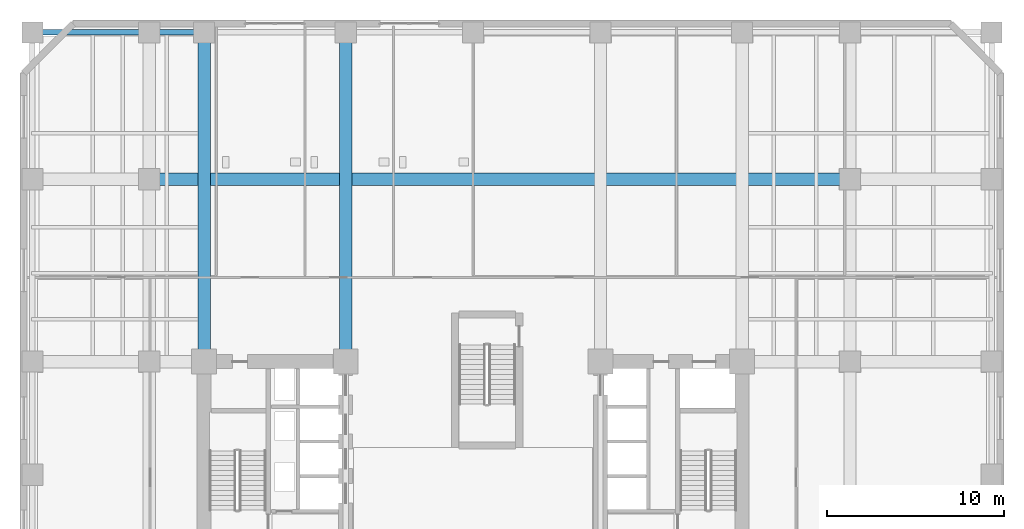
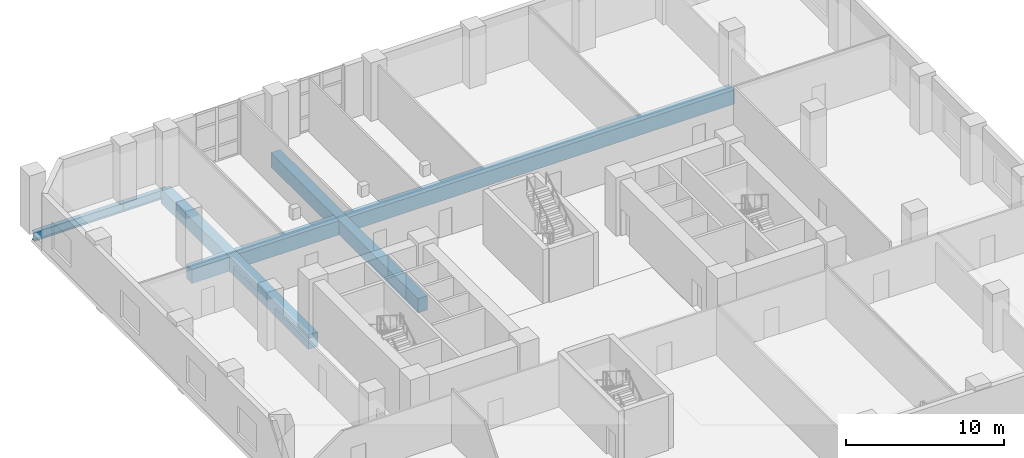
# One storey, part 4 of 15: 5 beams.
"""IFC4 building model written with IfcOpenShell, lengths in metres."""

from ifc_helpers import new_model, si_unit, direction, frame, origin, origin_2d, place, context, subcontext, project, spatial, rectangle, i_section, extrude, material, material_profile, profile_set, type_object, element, save


model = new_model("IFC4")

# Units and contexts
model_context = context("Model", 3, precision=1e-05, world=origin(), true_north=direction((0.0, 1.0)))
body_context = subcontext(model_context, "Body", "Model", "MODEL_VIEW")
ifc_project = project(units=[si_unit("LENGTHUNIT", "METRE"), si_unit("AREAUNIT", "SQUARE_METRE"), si_unit("VOLUMEUNIT", "CUBIC_METRE"), si_unit("PLANEANGLEUNIT", "RADIAN"), si_unit("MASSUNIT", "GRAM", prefix="KILO")], contexts=[model_context])

# Site, building, storey
site_placement = place(None, origin())
site = spatial("IfcSite", under=ifc_project, at=site_placement, CompositionType="ELEMENT")
building_placement = place(site_placement, origin())
building = spatial("IfcBuilding", under=site, at=building_placement, Name="Kranthara Brick Stack", CompositionType="ELEMENT")
storey_placement = place(building_placement, frame((0.0, 0.0, 9.89990234375)))
storey = spatial("IfcBuildingStorey", under=building, at=storey_placement, Name="L02", CompositionType="ELEMENT", Elevation=9.89990234375)

# Beams
ifc_material_1 = material(Name="Post-tensioned concrete C45/55", Category="concrete")
ifc_material_profile_1 = material_profile(ifc_material_1, rectangle(XDim=0.699951171875, YDim=1.10009765625, at=origin_2d()), Name="PT 700x1100")
ifc_profile_set_1 = profile_set([ifc_material_profile_1], Name="Post-tensioned concrete C45/55")
beam_type_1 = type_object("IfcBeamType", Name="BM-POD-PT1100", PredefinedType="BEAM", material=ifc_profile_set_1)
for number, where, z_axis, x_axis, name in (
    (1, (12.800048828125, 33.60009765625, -0.869873046875), (0.0, 1.0, 0.0), (-1.0, 0.0, 0.0), "L02 Primary Grid Girder 038"),
    (2, (20.800048828125, 33.60009765625, -0.869873046875), (0.0, 1.0, 0.0), (-1.0, 0.0, 0.0), "L02 Primary Grid Girder 040"),
):
    element("IfcBeam", number, at=place(storey_placement, frame(where, z_axis=z_axis, x_axis=x_axis)), inside=storey, type_object=beam_type_1, Name=name, PredefinedType="BEAM", context=body_context, shape_type="SweptSolid", body=[
        extrude(rectangle(XDim=0.699951171875, YDim=1.10009765625, at=origin_2d()), origin(), (0.0, 0.0, 1.0), 18.599853515625),
    ])
beam_1_placement = place(storey_placement, frame((9.699951171875, 43.89990234375, -0.869873046875), z_axis=(1.0, 0.0, 0.0), x_axis=(0.0, 1.0, 0.0)))
element("IfcBeam", 3, at=beam_1_placement, inside=storey, type_object=beam_type_1, Name="L02 Primary Grid Girder 063", PredefinedType="BEAM", context=body_context, shape_type="SweptSolid", body=[
    extrude(rectangle(XDim=0.699951171875, YDim=1.10009765625, at=origin_2d()), origin(), (0.0, 0.0, 1.0), 39.60009765625),
])
ifc_material_2 = material(Name="Steel S355", Category="steel")
ifc_material_profile_2 = material_profile(ifc_material_2, i_section(OverallWidth=0.300048828125, OverallDepth=0.699951171875, WebThickness=0.01708984375, FlangeThickness=0.031982421875, at=origin_2d()), Name="HEB 700")
ifc_profile_set_2 = profile_set([ifc_material_profile_2], Name="Steel S355")
beam_type_2 = type_object("IfcBeamType", Name="BM-STL-HEB700", PredefinedType="BEAM", material=ifc_profile_set_2)
beam_2_placement = place(storey_placement, frame((3.10009765625, 52.199951171875, -0.669921875), z_axis=(1.0, 0.0, 0.0), x_axis=(0.0, 1.0, 0.0)))
element("IfcBeam", 4, at=beam_2_placement, inside=storey, type_object=beam_type_2, Name="L02 Perimeter Spandrel Beam 012", PredefinedType="BEAM", context=body_context, shape_type="SweptSolid", body=[
    extrude(i_section(OverallWidth=0.300048828125, OverallDepth=0.699951171875, WebThickness=0.01708984375, FlangeThickness=0.031982421875, at=origin_2d()), origin(), (0.0, 0.0, 1.0), 6.599853515625),
])
beam_3_placement = place(storey_placement, frame((9.699951171875, 52.199951171875, -0.669921875), z_axis=(1.0, 0.0, 0.0), x_axis=(0.0, 1.0, 0.0)))
element("IfcBeam", 5, at=beam_3_placement, inside=storey, type_object=beam_type_2, Name="L02 Perimeter Spandrel Beam 013", PredefinedType="BEAM", context=body_context, shape_type="SweptSolid", body=[
    extrude(i_section(OverallWidth=0.300048828125, OverallDepth=0.699951171875, WebThickness=0.01708984375, FlangeThickness=0.031982421875, at=origin_2d()), origin(), (0.0, 0.0, 1.0), 3.10009765625),
])

save(model, "model.ifc")
